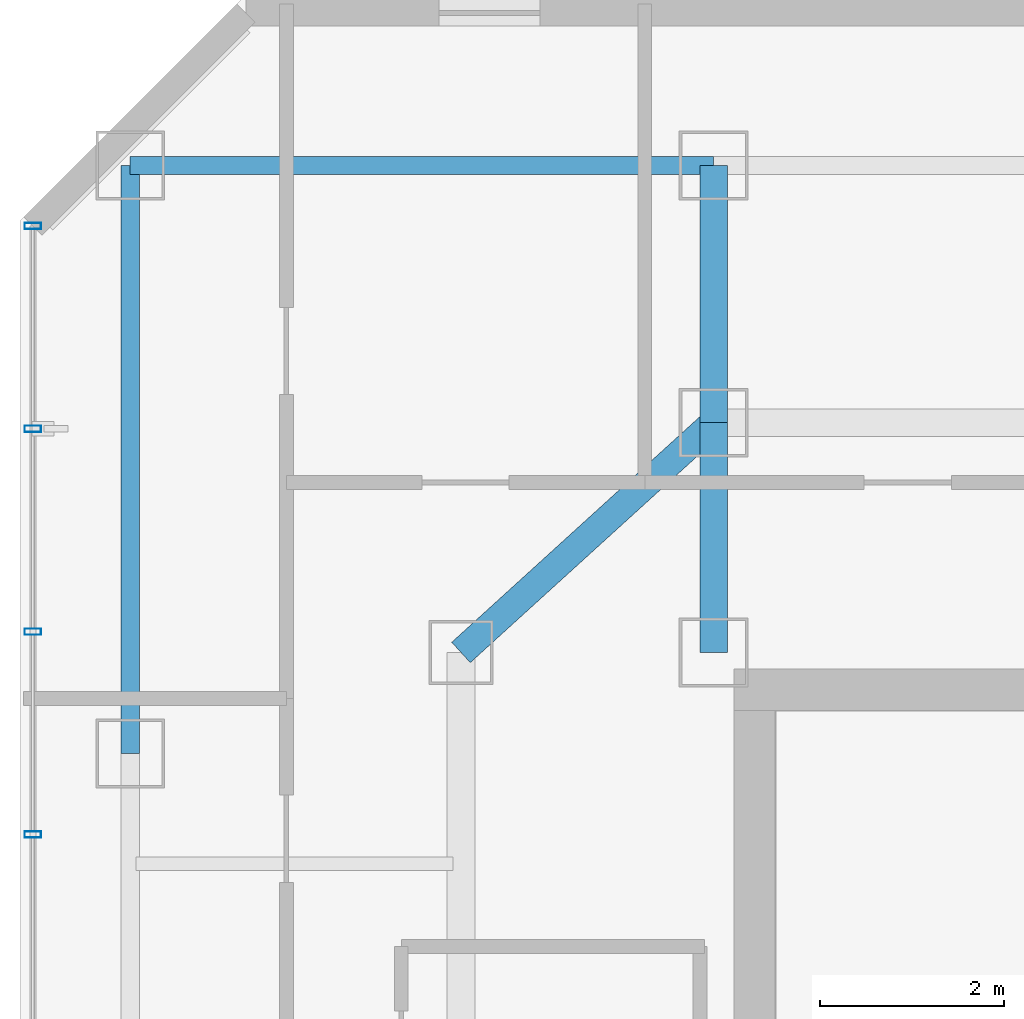
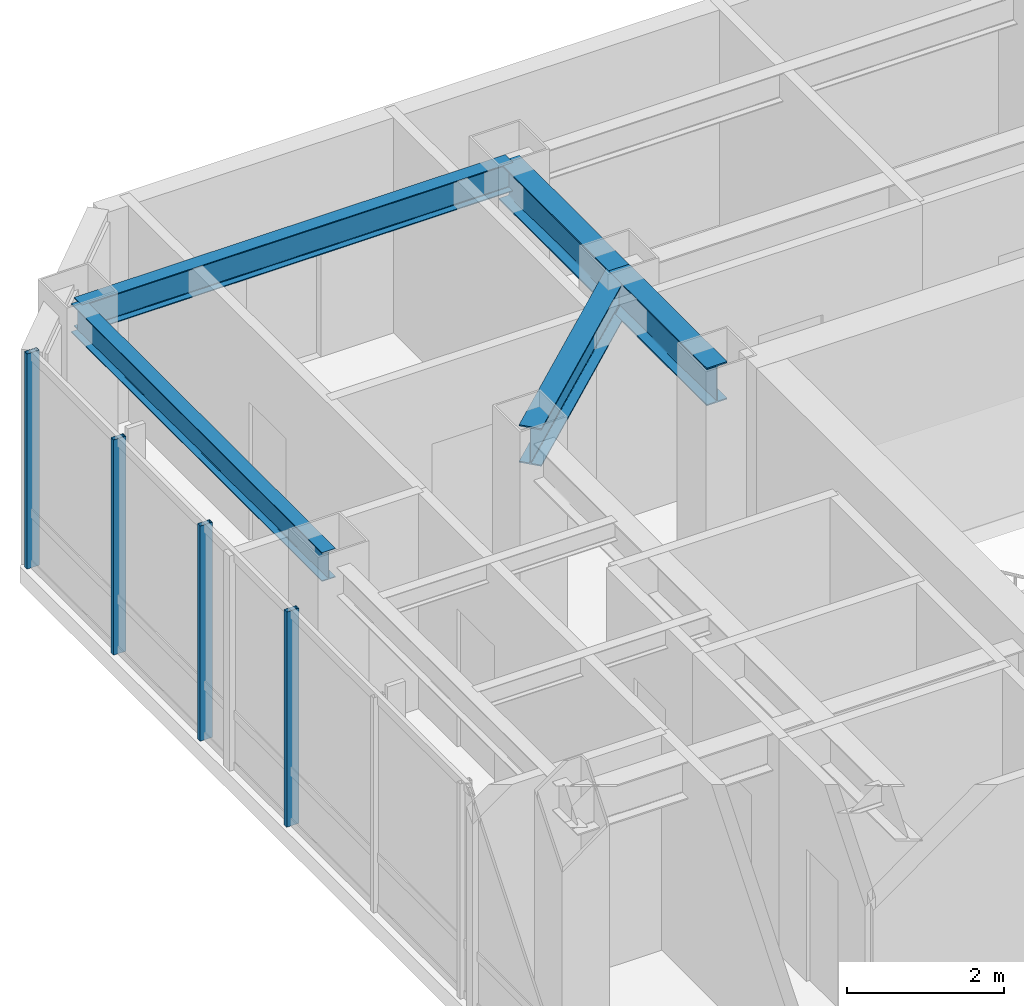
# One storey, part 15 of 26: 5 beams, 4 members, 1 element without a shape of its own.
"""IFC4 building model written with IfcOpenShell, lengths in metres."""

from ifc_helpers import new_model, si_unit, direction, frame, origin, origin_2d, place, context, subcontext, project, spatial, hollow_rectangle, i_section, extrude, material, layer, layer_set, material_profile, profile_set, type_object, element, aggregate, save


model = new_model("IFC4")

# Units and contexts
model_context = context("Model", 3, precision=1e-05, world=origin(), true_north=direction((0.0, 1.0)))
body_context = subcontext(model_context, "Body", "Model", "MODEL_VIEW")
ifc_project = project(units=[si_unit("LENGTHUNIT", "METRE"), si_unit("AREAUNIT", "SQUARE_METRE"), si_unit("VOLUMEUNIT", "CUBIC_METRE"), si_unit("PLANEANGLEUNIT", "RADIAN"), si_unit("MASSUNIT", "GRAM", prefix="KILO")], contexts=[model_context])

# Site, building, storey
site_placement = place(None, origin())
site = spatial("IfcSite", under=ifc_project, at=site_placement, CompositionType="ELEMENT")
building_placement = place(site_placement, origin())
building = spatial("IfcBuilding", under=site, at=building_placement, Name="Hatsunagi Terrace Concourse", CompositionType="ELEMENT")
storey_placement = place(building_placement, frame((0.0, 0.0, 209.550048828125)))
storey = spatial("IfcBuildingStorey", under=building, at=storey_placement, Name="L55", CompositionType="ELEMENT", Elevation=209.550048828125)

# Curtain wall, members
ifc_material_1 = material(Name="Anodised Aluminium Alloy 6063-T5", Category="aluminium")
ifc_layer = layer(ifc_material_1, 0.199951171875)
ifc_layer_set = layer_set([ifc_layer], Name="OfficeZone2_CW04")
curtain_wall_type = type_object("IfcCurtainWallType", Name="OfficeZone2_CW04", PredefinedType="NOTDEFINED", material=ifc_layer_set)
curtain_wall_placement = place(storey_placement, origin())
curtain_wall = element("IfcCurtainWall", 1, at=curtain_wall_placement, inside=storey, type_object=curtain_wall_type, Name="Unitised Curtain Wall CW-04 CW-L55-08", PredefinedType="NOTDEFINED")
ifc_material_2 = material(Name="Anodised Aluminium Alloy 6063-T5", Category="aluminium")
ifc_material_profile_1 = material_profile(ifc_material_2, hollow_rectangle(XDim=0.070068359375, YDim=0.179931640625, WallThickness=0.00390625, at=origin_2d()), Name="ALU-MUL-180x70x4")
ifc_profile_set_1 = profile_set([ifc_material_profile_1], Name="Anodised Aluminium Alloy 6063-T5")
member_type = type_object("IfcMemberType", Name="CurtainWallMullion_180x70", PredefinedType="MULLION", material=ifc_profile_set_1)
member_1_placement = place(storey_placement, frame((18.139892578125, 41.31689453125, 0.0), z_axis=(0.0, 0.0, 1.0), x_axis=(0.0, 1.0, 0.0)))
member_1 = element("IfcMember", 2, at=member_1_placement, type_object=member_type, Name="Curtain Wall Mullion MUL-02", PredefinedType="MULLION", context=body_context, shape_type="SweptSolid", body=[
    extrude(hollow_rectangle(XDim=0.070068359375, YDim=0.179931640625, WallThickness=0.00390625, at=origin_2d()), origin(), (0.0, 0.0, 1.0), 3.349853515625),
])
member_2_placement = place(storey_placement, frame((18.139892578125, 43.52490234375, 0.0), z_axis=(0.0, 0.0, 1.0), x_axis=(0.0, 1.0, 0.0)))
member_2 = element("IfcMember", 3, at=member_2_placement, type_object=member_type, Name="Curtain Wall Mullion MUL-02", PredefinedType="MULLION", context=body_context, shape_type="SweptSolid", body=[
    extrude(hollow_rectangle(XDim=0.070068359375, YDim=0.179931640625, WallThickness=0.00390625, at=origin_2d()), origin(), (0.0, 0.0, 1.0), 3.349853515625),
])
member_3_placement = place(storey_placement, frame((18.139892578125, 45.73388671875, 0.0), z_axis=(0.0, 0.0, 1.0), x_axis=(0.0, 1.0, 0.0)))
member_3 = element("IfcMember", 4, at=member_3_placement, type_object=member_type, Name="Curtain Wall Mullion MUL-02", PredefinedType="MULLION", context=body_context, shape_type="SweptSolid", body=[
    extrude(hollow_rectangle(XDim=0.070068359375, YDim=0.179931640625, WallThickness=0.00390625, at=origin_2d()), origin(), (0.0, 0.0, 1.0), 3.349853515625),
])
member_4_placement = place(storey_placement, frame((18.139892578125, 47.94189453125, 0.0), z_axis=(0.0, 0.0, 1.0), x_axis=(0.0, 1.0, 0.0)))
member_4 = element("IfcMember", 5, at=member_4_placement, type_object=member_type, Name="Curtain Wall Mullion MUL-02", PredefinedType="MULLION", context=body_context, shape_type="SweptSolid", body=[
    extrude(hollow_rectangle(XDim=0.070068359375, YDim=0.179931640625, WallThickness=0.00390625, at=origin_2d()), origin(), (0.0, 0.0, 1.0), 3.349853515625),
])
aggregate(curtain_wall, [member_1, member_2, member_3, member_4])

# Beams
ifc_material_3 = material(Name="Steel SN490B", Category="steel")
ifc_material_profile_2 = material_profile(ifc_material_3, i_section(OverallWidth=0.300048828125, OverallDepth=0.587890625, WebThickness=0.011962890625, FlangeThickness=0.02001953125, FilletRadius=0.01806640625, at=origin_2d()), Name="H-588x300x12x20")
ifc_profile_set_2 = profile_set([ifc_material_profile_2], Name="Steel SN490B")
beam_type_1 = type_object("IfcBeamType", Name="OfficeHighGirder_H_588x300", PredefinedType="BEAM", material=ifc_profile_set_2)
beam_1_placement = place(storey_placement, frame((25.550048828125, 43.300048828125, 3.055908203125), z_axis=(0.0, 1.0, 0.0), x_axis=(-1.0, 0.0, 0.0)))
element("IfcBeam", 6, at=beam_1_placement, inside=storey, type_object=beam_type_1, Name="Beam G-06 BM-L55-CN1", PredefinedType="BEAM", context=body_context, shape_type="SweptSolid", body=[
    extrude(i_section(OverallWidth=0.300048828125, OverallDepth=0.587890625, WebThickness=0.011962890625, FlangeThickness=0.02001953125, FilletRadius=0.01806640625, at=origin_2d()), origin(), (0.0, 0.0, 1.0), 2.5),
])
beam_2_placement = place(storey_placement, frame((25.550048828125, 45.800048828125, 3.055908203125), z_axis=(0.0, 1.0, 0.0), x_axis=(-1.0, 0.0, 0.0)))
element("IfcBeam", 7, at=beam_2_placement, inside=storey, type_object=beam_type_1, Name="Beam G-06 BM-L55-KN-WN4", PredefinedType="BEAM", context=body_context, shape_type="SweptSolid", body=[
    extrude(i_section(OverallWidth=0.300048828125, OverallDepth=0.587890625, WebThickness=0.011962890625, FlangeThickness=0.02001953125, FilletRadius=0.01806640625, at=origin_2d()), origin(), (0.0, 0.0, 1.0), 2.800048828125),
])
beam_3_placement = place(storey_placement, frame((22.800048828125, 43.300048828125, 3.055908203125), z_axis=(0.739940073396, 0.672672793996, 0.0), x_axis=(-0.672672793996, 0.739940073396, 0.0)))
element("IfcBeam", 8, at=beam_3_placement, inside=storey, type_object=beam_type_1, Name="Beam G-06 BM-L55-CWEW-N", PredefinedType="BEAM", context=body_context, shape_type="SweptSolid", body=[
    extrude(i_section(OverallWidth=0.300048828125, OverallDepth=0.587890625, WebThickness=0.011962890625, FlangeThickness=0.02001953125, FilletRadius=0.01806640625, at=origin_2d()), origin(), (0.0, 0.0, 1.0), 3.716552734375),
])
ifc_material_4 = material(Name="Steel SN490B", Category="steel")
ifc_material_profile_3 = material_profile(ifc_material_4, i_section(OverallWidth=0.199951171875, OverallDepth=0.449951171875, WebThickness=0.009033203125, FlangeThickness=0.013916015625, FilletRadius=0.01611328125, at=origin_2d()), Name="H-450x200x9x14")
ifc_profile_set_3 = profile_set([ifc_material_profile_3], Name="Steel SN490B")
beam_type_2 = type_object("IfcBeamType", Name="PerimeterSpandrel_H_450x200", PredefinedType="SPANDREL", material=ifc_profile_set_3)
beam_4_placement = place(storey_placement, frame((19.199951171875, 48.60009765625, 3.125), z_axis=(1.0, 0.0, 0.0), x_axis=(0.0, 1.0, 0.0)))
element("IfcBeam", 9, at=beam_4_placement, inside=storey, type_object=beam_type_2, Name="Beam SP-02 BM-L55-WN-19", PredefinedType="SPANDREL", context=body_context, shape_type="SweptSolid", body=[
    extrude(i_section(OverallWidth=0.199951171875, OverallDepth=0.449951171875, WebThickness=0.009033203125, FlangeThickness=0.013916015625, FilletRadius=0.01611328125, at=origin_2d()), origin(), (0.0, 0.0, 1.0), 6.35009765625),
])
beam_5_placement = place(storey_placement, frame((19.199951171875, 42.199951171875, 3.125), z_axis=(0.0, 1.0, 0.0), x_axis=(-1.0, 0.0, 0.0)))
element("IfcBeam", 10, at=beam_5_placement, inside=storey, type_object=beam_type_2, Name="Beam SP-02 BM-L55-NS-19-42", PredefinedType="SPANDREL", context=body_context, shape_type="SweptSolid", body=[
    extrude(i_section(OverallWidth=0.199951171875, OverallDepth=0.449951171875, WebThickness=0.009033203125, FlangeThickness=0.013916015625, FilletRadius=0.01611328125, at=origin_2d()), origin(), (0.0, 0.0, 1.0), 6.400146484375),
])

save(model, "model.ifc")
